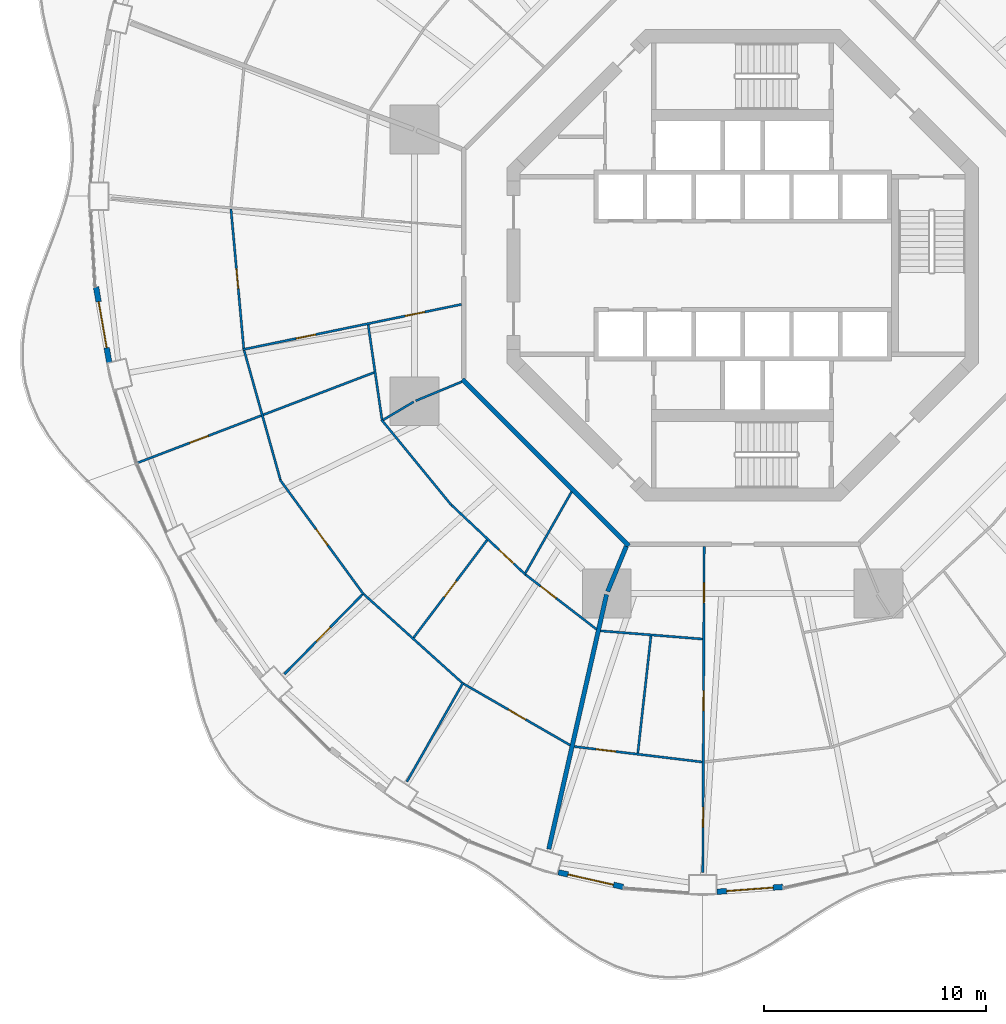
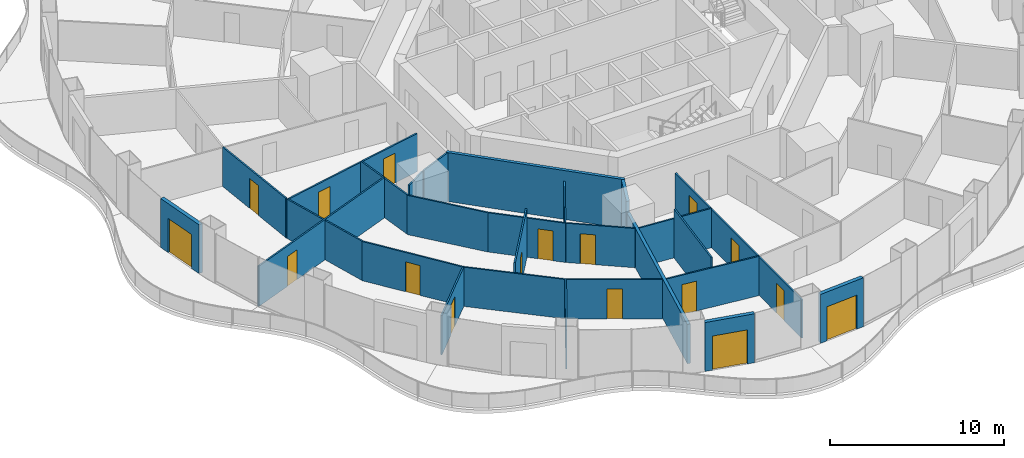
# One storey, part 14 of 22: 27 walls, 17 doors, 17 openings.
"""IFC4 building model written with IfcOpenShell, lengths in metres."""

from ifc_helpers import new_model, si_unit, direction, frame, frame_2d, origin, place, context, subcontext, project, spatial, rectangle, extrude, material, layer, layer_set, type_object, element, fill, save


model = new_model("IFC4")

# Units and contexts
model_context = context("Model", 3, precision=1e-05, world=origin(), true_north=direction((0.0, 1.0)))
body_context = subcontext(model_context, "Body", "Model", "MODEL_VIEW")
ifc_project = project(units=[si_unit("LENGTHUNIT", "METRE"), si_unit("AREAUNIT", "SQUARE_METRE"), si_unit("VOLUMEUNIT", "CUBIC_METRE"), si_unit("PLANEANGLEUNIT", "RADIAN"), si_unit("MASSUNIT", "GRAM", prefix="KILO")], contexts=[model_context])

# Site, building, storey
site_placement = place(None, origin())
site = spatial("IfcSite", under=ifc_project, at=site_placement, CompositionType="ELEMENT")
building_placement = place(site_placement, origin())
building = spatial("IfcBuilding", under=site, at=building_placement, Name="Nagisa Residences", CompositionType="ELEMENT")
storey_placement = place(building_placement, frame((0.0, 0.0, 77.0)))
storey = spatial("IfcBuildingStorey", under=building, at=storey_placement, Name="L18", CompositionType="ELEMENT", Elevation=77.0)

# Walls
ifc_material_1 = material(Name="Gypsum board on steel studs", Category="steel")
ifc_layer_1 = layer(ifc_material_1, 0.199951171875)
ifc_layer_set_1 = layer_set([ifc_layer_1], Name="Apartment compartment wall EI60 200")
wall_type_1 = type_object("IfcWallType", Name="Apartment compartment wall EI60 200", PredefinedType="PARTITIONING", material=ifc_layer_set_1)
wall_1_placement = place(storey_placement, frame((-5.24267578125, -12.6572265625, 0.0), z_axis=(0.0, 0.0, 1.0), x_axis=(-0.382668627144, -0.923885664896, 0.0)))
element("IfcWall", 1, at=wall_1_placement, inside=storey, type_object=wall_type_1, Name="wall:L18:u04", PredefinedType="PARTITIONING", context=body_context, shape_type="SweptSolid", body=[
    extrude(rectangle(XDim=2.200439453125, YDim=0.199951171875, at=frame_2d((1.10009765625, 0.0))), origin(), (0.0, 0.0, 1.0), 3.43994140625),
])
wall_2_placement = place(storey_placement, frame((-6.134033203125, -14.830810546875, 0.0), z_axis=(0.0, 0.0, 1.0), x_axis=(-0.221225405869, -0.975222702667, 0.0)))
element("IfcWall", 2, at=wall_2_placement, inside=storey, type_object=wall_type_1, Name="wall:L18:u05", PredefinedType="PARTITIONING", context=body_context, shape_type="SweptSolid", body=[
    extrude(rectangle(XDim=11.760986328125, YDim=0.199951171875, at=frame_2d((5.88037109375, 0.0))), origin(), (0.0, 0.0, 1.0), 2.761962890625),
])
ifc_material_2 = material(Name="Gypsum board on steel studs", Category="steel")
ifc_layer_2 = layer(ifc_material_2, 0.199951171875)
ifc_layer_set_2 = layer_set([ifc_layer_2], Name="Apartment entry wall EI60 200")
wall_type_2 = type_object("IfcWallType", Name="Apartment entry wall EI60 200", PredefinedType="PARTITIONING", material=ifc_layer_set_2)
wall_3_placement = place(storey_placement, frame((-12.635498046875, -5.1337890625, 0.0), z_axis=(0.0, 0.0, 1.0), x_axis=(0.707106781187, -0.707106781187, 0.0)))
element("IfcWall", 3, at=wall_3_placement, inside=storey, type_object=wall_type_2, Name="wall:L18:u13", PredefinedType="PARTITIONING", context=body_context, shape_type="SweptSolid", body=[
    extrude(rectangle(XDim=10.609130859375, YDim=0.199951171875, at=frame_2d((5.3046875, 0.0))), origin(), (0.0, 0.0, 1.0), 3.43994140625),
])

# Wall, opening, door
ifc_material_3 = material(Name="Gypsum board on steel studs", Category="steel")
ifc_layer_3 = layer(ifc_material_3, 0.10009765625)
ifc_layer_set_3 = layer_set([ifc_layer_3], Name="Apartment partition 100")
wall_type_3 = type_object("IfcWallType", Name="Apartment partition 100", PredefinedType="PARTITIONING", material=ifc_layer_set_3)
wall_4_placement = place(storey_placement, frame((-23.056884765625, 2.54248046875, 0.0), z_axis=(0.0, 0.0, 1.0), x_axis=(0.091380945427, -0.995816008514, 0.0)))
wall_4 = element("IfcWall", 4, at=wall_4_placement, inside=storey, type_object=wall_type_3, Name="wall:L18:u56", PredefinedType="PARTITIONING", context=body_context, shape_type="SweptSolid", body=[
    extrude(rectangle(XDim=6.302490234375, YDim=0.10009765625, at=frame_2d((3.1513671875, 0.0))), origin(), (0.0, 0.0, 1.0), 2.761962890625),
])
opening_1_placement = place(wall_4_placement, frame((2.701171875, 0.0, 0.0)))
opening_1 = element("IfcOpeningElement", 5, at=opening_1_placement, cuts=wall_4, Name="Opening L18-U28", PredefinedType="OPENING", context=body_context, shape_type="SweptSolid", body=[
    extrude(rectangle(XDim=0.89990234375, YDim=2.10009765625, at=frame_2d((0.449951171875, 1.050048828125))), frame((0.0, 0.06005859375, 0.0), z_axis=(0.0, -1.0, 0.0), x_axis=(1.0, 0.0, 0.0)), (0.0, 0.0, 1.0), 0.1201171875),
])
ifc_material_4 = material(Name="Timber door set", Category="wood")
door_type_1 = type_object("IfcDoorType", Name="Apartment door 900x2100", OperationType="NOTDEFINED", PredefinedType="DOOR", material=ifc_material_4)
door_1_placement = place(opening_1_placement, frame((0.89990234375, 0.0, 0.0), x_axis=(-1.0, 0.0, 0.0)))
door_1 = element("IfcDoor", 6, at=door_1_placement, inside=storey, type_object=door_type_1, Name="Door to family room, Apartment 18B", OperationType="SINGLE_SWING_LEFT", OverallHeight=2.10009765625, OverallWidth=0.89990234375, PredefinedType="DOOR", context=body_context, shape_type="SweptSolid", body=[
    extrude(rectangle(XDim=0.89990234375, YDim=2.10009765625, at=frame_2d((0.449951171875, 1.050048828125))), frame((0.0, 0.02490234375, 0.0), z_axis=(0.0, -1.0, 0.0), x_axis=(1.0, 0.0, 0.0)), (0.0, 0.0, 1.0), 0.050048828125),
])
fill(opening_1, door_1)

# Wall, openings, doors
wall_5_placement = place(storey_placement, frame((-12.66259765625, -1.755126953125, 0.0), z_axis=(0.0, 0.0, 1.0), x_axis=(-0.979304677471, -0.202391572657, 0.0)))
wall_5 = element("IfcWall", 7, at=wall_5_placement, inside=storey, type_object=wall_type_3, Name="wall:L18:u57", PredefinedType="PARTITIONING", context=body_context, shape_type="SweptSolid", body=[
    extrude(rectangle(XDim=10.0712890625, YDim=0.10009765625, at=frame_2d((5.03564453125, 0.0))), origin(), (0.0, 0.0, 1.0), 2.68701171875),
])
opening_2_placement = place(wall_5_placement, frame((1.703857421875, 0.0, 0.0)))
opening_2 = element("IfcOpeningElement", 8, at=opening_2_placement, cuts=wall_5, Name="Opening L18-U24", PredefinedType="OPENING", context=body_context, shape_type="SweptSolid", body=[
    extrude(rectangle(XDim=0.89990234375, YDim=2.10009765625, at=frame_2d((0.449951171875, 1.050048828125))), frame((0.0, 0.06005859375, 0.0), z_axis=(0.0, -1.0, 0.0), x_axis=(1.0, 0.0, 0.0)), (0.0, 0.0, 1.0), 0.1201171875),
])
opening_3_placement = place(wall_5_placement, frame((6.71435546875, 0.0, 0.0)))
opening_3 = element("IfcOpeningElement", 9, at=opening_3_placement, cuts=wall_5, Name="Opening L18-U26", PredefinedType="OPENING", context=body_context, shape_type="SweptSolid", body=[
    extrude(rectangle(XDim=0.89990234375, YDim=2.10009765625, at=frame_2d((0.449951171875, 1.050048828125))), frame((0.0, 0.06005859375, 0.0), z_axis=(0.0, -1.0, 0.0), x_axis=(1.0, 0.0, 0.0)), (0.0, 0.0, 1.0), 0.1201171875),
])
door_2_placement = place(opening_2_placement, origin())
door_2 = element("IfcDoor", 10, at=door_2_placement, inside=storey, type_object=door_type_1, Name="Door to family bathroom, Apartment 18B", OperationType="SINGLE_SWING_RIGHT", OverallHeight=2.10009765625, OverallWidth=0.89990234375, PredefinedType="DOOR", context=body_context, shape_type="SweptSolid", body=[
    extrude(rectangle(XDim=0.89990234375, YDim=2.10009765625, at=frame_2d((0.449951171875, 1.050048828125))), frame((0.0, 0.02490234375, 0.0), z_axis=(0.0, -1.0, 0.0), x_axis=(1.0, 0.0, 0.0)), (0.0, 0.0, 1.0), 0.050048828125),
])
fill(opening_2, door_2)
door_3_placement = place(opening_3_placement, origin())
door_3 = element("IfcDoor", 11, at=door_3_placement, inside=storey, type_object=door_type_1, Name="Door to family bathroom, Apartment 18B", OperationType="SINGLE_SWING_RIGHT", OverallHeight=2.10009765625, OverallWidth=0.89990234375, PredefinedType="DOOR", context=body_context, shape_type="SweptSolid", body=[
    extrude(rectangle(XDim=0.89990234375, YDim=2.10009765625, at=frame_2d((0.449951171875, 1.050048828125))), frame((0.0, 0.02490234375, 0.0), z_axis=(0.0, -1.0, 0.0), x_axis=(1.0, 0.0, 0.0)), (0.0, 0.0, 1.0), 0.050048828125),
])
fill(opening_3, door_3)

# Walls
wall_6_placement = place(storey_placement, frame((-16.8740234375, -2.676513671875, 0.0), z_axis=(0.0, 0.0, 1.0), x_axis=(0.144260658133, -0.989539722555, 0.0)))
element("IfcWall", 12, at=wall_6_placement, inside=storey, type_object=wall_type_3, Name="wall:L18:u58", PredefinedType="PARTITIONING", context=body_context, shape_type="SweptSolid", body=[
    extrude(rectangle(XDim=4.308837890625, YDim=0.10009765625, at=frame_2d((2.154296875, 0.0))), origin(), (0.0, 0.0, 1.0), 2.761962890625),
])
wall_7_placement = place(storey_placement, frame((-22.462890625, -3.83154296875, 0.0), z_axis=(0.0, 0.0, 1.0), x_axis=(0.269797759333, -0.962917010473, 0.0)))
element("IfcWall", 13, at=wall_7_placement, inside=storey, type_object=wall_type_3, Name="wall:L18:u59", PredefinedType="PARTITIONING", context=body_context, shape_type="SweptSolid", body=[
    extrude(rectangle(XDim=6.04296875, YDim=0.10009765625, at=frame_2d((3.021484375, 0.0))), origin(), (0.0, 0.0, 1.0), 2.761962890625),
])

# Wall, opening, door
wall_8_placement = place(storey_placement, frame((-16.60986328125, -4.826171875, 0.0), z_axis=(0.0, 0.0, 1.0), x_axis=(-0.934174502909, -0.356816476798, 0.0)))
wall_8 = element("IfcWall", 14, at=wall_8_placement, inside=storey, type_object=wall_type_3, Name="wall:L18:u60", PredefinedType="PARTITIONING", context=body_context, shape_type="SweptSolid", body=[
    extrude(rectangle(XDim=11.496337890625, YDim=0.10009765625, at=frame_2d((5.748046875, 0.0))), origin(), (0.0, 0.0, 1.0), 2.8369140625),
])
opening_4_placement = place(wall_8_placement, frame((7.992919921875, 0.0, 0.0)))
opening_4 = element("IfcOpeningElement", 15, at=opening_4_placement, cuts=wall_8, Name="Opening L18-U29", PredefinedType="OPENING", context=body_context, shape_type="SweptSolid", body=[
    extrude(rectangle(XDim=0.89990234375, YDim=2.10009765625, at=frame_2d((0.449951171875, 1.050048828125))), frame((0.0, 0.06005859375, 0.0), z_axis=(0.0, -1.0, 0.0), x_axis=(1.0, 0.0, 0.0)), (0.0, 0.0, 1.0), 0.1201171875),
])
door_4_placement = place(opening_4_placement, origin())
door_4 = element("IfcDoor", 16, at=door_4_placement, inside=storey, type_object=door_type_1, Name="Door to dining room, Apartment 18B", OperationType="SINGLE_SWING_LEFT", OverallHeight=2.10009765625, OverallWidth=0.89990234375, PredefinedType="DOOR", context=body_context, shape_type="SweptSolid", body=[
    extrude(rectangle(XDim=0.89990234375, YDim=2.10009765625, at=frame_2d((0.449951171875, 1.050048828125))), frame((0.0, 0.02490234375, 0.0), z_axis=(0.0, -1.0, 0.0), x_axis=(1.0, 0.0, 0.0)), (0.0, 0.0, 1.0), 0.050048828125),
])
fill(opening_4, door_4)

# Walls
wall_9_placement = place(storey_placement, frame((-12.6572265625, -5.24267578125, 0.0), z_axis=(0.0, 0.0, 1.0), x_axis=(-0.923864733477, -0.382719158442, 0.0)))
element("IfcWall", 17, at=wall_9_placement, inside=storey, type_object=wall_type_3, Name="wall:L18:u61", PredefinedType="PARTITIONING", context=body_context, shape_type="SweptSolid", body=[
    extrude(rectangle(XDim=2.25, YDim=0.10009765625, at=frame_2d((1.125, 0.0))), origin(), (0.0, 0.0, 1.0), 3.43994140625),
])
wall_10_placement = place(storey_placement, frame((-14.824951171875, -6.1484375, 0.0), z_axis=(0.0, 0.0, 1.0), x_axis=(-0.860452514841, -0.509530636669, 0.0)))
element("IfcWall", 18, at=wall_10_placement, inside=storey, type_object=wall_type_3, Name="wall:L18:u62", PredefinedType="PARTITIONING", context=body_context, shape_type="SweptSolid", body=[
    extrude(rectangle(XDim=1.600830078125, YDim=0.10009765625, at=frame_2d((0.80029296875, 0.0))), origin(), (0.0, 0.0, 1.0), 3.43994140625),
])
wall_11_placement = place(storey_placement, frame((-16.277099609375, -6.950927734375, 0.0), z_axis=(0.0, 0.0, 1.0), x_axis=(0.633427340372, -0.773802173988, 0.0)))
element("IfcWall", 19, at=wall_11_placement, inside=storey, type_object=wall_type_3, Name="wall:L18:u63", PredefinedType="PARTITIONING", context=body_context, shape_type="SweptSolid", body=[
    extrude(rectangle(XDim=4.979248046875, YDim=0.10009765625, at=frame_2d((2.48974609375, 0.0))), origin(), (0.0, 0.0, 1.0), 2.761962890625),
])

# Wall, opening, door
wall_12_placement = place(storey_placement, frame((-20.848388671875, -9.658203125, 0.0), z_axis=(0.0, 0.0, 1.0), x_axis=(0.5895799361, -0.807710033953, 0.0)))
wall_12 = element("IfcWall", 20, at=wall_12_placement, inside=storey, type_object=wall_type_3, Name="wall:L18:u64", PredefinedType="PARTITIONING", context=body_context, shape_type="SweptSolid", body=[
    extrude(rectangle(XDim=6.40771484375, YDim=0.10009765625, at=frame_2d((3.203857421875, 0.0))), origin(), (0.0, 0.0, 1.0), 2.761962890625),
])
opening_5_placement = place(wall_12_placement, frame((2.75390625, 0.0, 0.0)))
opening_5 = element("IfcOpeningElement", 21, at=opening_5_placement, cuts=wall_12, Name="Opening L18-U31", PredefinedType="OPENING", context=body_context, shape_type="SweptSolid", body=[
    extrude(rectangle(XDim=0.89990234375, YDim=2.10009765625, at=frame_2d((0.449951171875, 1.050048828125))), frame((0.0, 0.06005859375, 0.0), z_axis=(0.0, -1.0, 0.0), x_axis=(1.0, 0.0, 0.0)), (0.0, 0.0, 1.0), 0.1201171875),
])
door_5_placement = place(opening_5_placement, origin())
door_5 = element("IfcDoor", 22, at=door_5_placement, inside=storey, type_object=door_type_1, Name="Door to dining room, Apartment 18B", OperationType="SINGLE_SWING_LEFT", OverallHeight=2.10009765625, OverallWidth=0.89990234375, PredefinedType="DOOR", context=body_context, shape_type="SweptSolid", body=[
    extrude(rectangle(XDim=0.89990234375, YDim=2.10009765625, at=frame_2d((0.449951171875, 1.050048828125))), frame((0.0, 0.02490234375, 0.0), z_axis=(0.0, -1.0, 0.0), x_axis=(1.0, 0.0, 0.0)), (0.0, 0.0, 1.0), 0.050048828125),
])
fill(opening_5, door_5)

wall_13_placement = place(storey_placement, frame((-13.118408203125, -10.799560546875, 0.0), z_axis=(0.0, 0.0, 1.0), x_axis=(0.72818280142, -0.685382964273, 0.0)))
wall_13 = element("IfcWall", 23, at=wall_13_placement, inside=storey, type_object=wall_type_3, Name="wall:L18:u65", PredefinedType="PARTITIONING", context=body_context, shape_type="SweptSolid", body=[
    extrude(rectangle(XDim=4.586181640625, YDim=0.10009765625, at=frame_2d((2.29296875, 0.0))), origin(), (0.0, 0.0, 1.0), 2.761962890625),
])
opening_6_placement = place(wall_13_placement, frame((2.939697265625, 0.0, 0.0)))
opening_6 = element("IfcOpeningElement", 24, at=opening_6_placement, cuts=wall_13, Name="Opening L18-U34", PredefinedType="OPENING", context=body_context, shape_type="SweptSolid", body=[
    extrude(rectangle(XDim=0.89990234375, YDim=2.10009765625, at=frame_2d((0.449951171875, 1.050048828125))), frame((0.0, 0.06005859375, 0.0), z_axis=(0.0, -1.0, 0.0), x_axis=(1.0, 0.0, 0.0)), (0.0, 0.0, 1.0), 0.1201171875),
])
door_6_placement = place(opening_6_placement, origin())
door_6 = element("IfcDoor", 25, at=door_6_placement, inside=storey, type_object=door_type_1, Name="Door to store, Apartment 18B", OperationType="SINGLE_SWING_RIGHT", OverallHeight=2.10009765625, OverallWidth=0.89990234375, PredefinedType="DOOR", context=body_context, shape_type="SweptSolid", body=[
    extrude(rectangle(XDim=0.89990234375, YDim=2.10009765625, at=frame_2d((0.449951171875, 1.050048828125))), frame((0.0, 0.02490234375, 0.0), z_axis=(0.0, -1.0, 0.0), x_axis=(1.0, 0.0, 0.0)), (0.0, 0.0, 1.0), 0.050048828125),
])
fill(opening_6, door_6)

wall_14_placement = place(storey_placement, frame((-17.135009765625, -14.8291015625, 0.0), z_axis=(0.0, 0.0, 1.0), x_axis=(-0.699702869429, -0.714433967917, 0.0)))
wall_14 = element("IfcWall", 26, at=wall_14_placement, inside=storey, type_object=wall_type_3, Name="wall:L18:u66", PredefinedType="PARTITIONING", context=body_context, shape_type="SweptSolid", body=[
    extrude(rectangle(XDim=5.021728515625, YDim=0.10009765625, at=frame_2d((2.5107421875, 0.0))), origin(), (0.0, 0.0, 1.0), 2.761962890625),
])
opening_7_placement = place(wall_14_placement, frame((2.060791015625, 0.0, 0.0)))
opening_7 = element("IfcOpeningElement", 27, at=opening_7_placement, cuts=wall_14, Name="Opening L18-U30", PredefinedType="OPENING", context=body_context, shape_type="SweptSolid", body=[
    extrude(rectangle(XDim=0.89990234375, YDim=2.10009765625, at=frame_2d((0.449951171875, 1.050048828125))), frame((0.0, 0.06005859375, 0.0), z_axis=(0.0, -1.0, 0.0), x_axis=(1.0, 0.0, 0.0)), (0.0, 0.0, 1.0), 0.1201171875),
])
door_7_placement = place(opening_7_placement, origin())
door_7 = element("IfcDoor", 28, at=door_7_placement, inside=storey, type_object=door_type_1, Name="Door to master bedroom, Apartment 18B", OperationType="SINGLE_SWING_RIGHT", OverallHeight=2.10009765625, OverallWidth=0.89990234375, PredefinedType="DOOR", context=body_context, shape_type="SweptSolid", body=[
    extrude(rectangle(XDim=0.89990234375, YDim=2.10009765625, at=frame_2d((0.449951171875, 1.050048828125))), frame((0.0, 0.02490234375, 0.0), z_axis=(0.0, -1.0, 0.0), x_axis=(1.0, 0.0, 0.0)), (0.0, 0.0, 1.0), 0.050048828125),
])
fill(opening_7, door_7)

# Wall
wall_15_placement = place(storey_placement, frame((-17.062744140625, -14.826904296875, 0.0), z_axis=(0.0, 0.0, 1.0), x_axis=(0.743478142868, -0.668760234373, 0.0)))
element("IfcWall", 29, at=wall_15_placement, inside=storey, type_object=wall_type_3, Name="wall:L18:u67", PredefinedType="PARTITIONING", context=body_context, shape_type="SweptSolid", body=[
    extrude(rectangle(XDim=5.93701171875, YDim=0.10009765625, at=frame_2d((2.968505859375, 0.0))), origin(), (0.0, 0.0, 1.0), 2.761962890625),
])

# Wall, opening, door
wall_16_placement = place(storey_placement, frame((-11.51513671875, -12.376953125, 0.0), z_axis=(0.0, 0.0, 1.0), x_axis=(-0.60163860397, -0.798768420891, 0.0)))
wall_16 = element("IfcWall", 30, at=wall_16_placement, inside=storey, type_object=wall_type_3, Name="wall:L18:u68", PredefinedType="PARTITIONING", context=body_context, shape_type="SweptSolid", body=[
    extrude(rectangle(XDim=5.50244140625, YDim=0.10009765625, at=frame_2d((2.751220703125, 0.0))), origin(), (0.0, 0.0, 1.0), 3.43994140625),
])
opening_8_placement = place(wall_16_placement, frame((2.30126953125, 0.0, 0.0)))
opening_8 = element("IfcOpeningElement", 31, at=opening_8_placement, cuts=wall_16, Name="Opening L18-U32", PredefinedType="OPENING", context=body_context, shape_type="SweptSolid", body=[
    extrude(rectangle(XDim=0.89990234375, YDim=2.10009765625, at=frame_2d((0.449951171875, 1.050048828125))), frame((0.0, 0.06005859375, 0.0), z_axis=(0.0, -1.0, 0.0), x_axis=(1.0, 0.0, 0.0)), (0.0, 0.0, 1.0), 0.1201171875),
])
door_8_placement = place(opening_8_placement, origin())
door_8 = element("IfcDoor", 32, at=door_8_placement, inside=storey, type_object=door_type_1, Name="Door to kitchen, Apartment 18B", OperationType="SINGLE_SWING_RIGHT", OverallHeight=2.10009765625, OverallWidth=0.89990234375, PredefinedType="DOOR", context=body_context, shape_type="SweptSolid", body=[
    extrude(rectangle(XDim=0.89990234375, YDim=2.10009765625, at=frame_2d((0.449951171875, 1.050048828125))), frame((0.0, 0.02490234375, 0.0), z_axis=(0.0, -1.0, 0.0), x_axis=(1.0, 0.0, 0.0)), (0.0, 0.0, 1.0), 0.050048828125),
])
fill(opening_8, door_8)

# Wall
wall_17_placement = place(storey_placement, frame((-7.707275390625, -10.1982421875, 0.0), z_axis=(0.0, 0.0, 1.0), x_axis=(-0.493986531217, -0.869469554945, 0.0)))
element("IfcWall", 33, at=wall_17_placement, inside=storey, type_object=wall_type_3, Name="wall:L18:u69", PredefinedType="PARTITIONING", context=body_context, shape_type="SweptSolid", body=[
    extrude(rectangle(XDim=4.21728515625, YDim=0.10009765625, at=frame_2d((2.108642578125, 0.0))), origin(), (0.0, 0.0, 1.0), 2.68701171875),
])

# Wall, opening, door
wall_18_placement = place(storey_placement, frame((-9.775390625, -13.93896484375, 0.0), z_axis=(0.0, 0.0, 1.0), x_axis=(0.792162117554, -0.610310723741, 0.0)))
wall_18 = element("IfcWall", 34, at=wall_18_placement, inside=storey, type_object=wall_type_3, Name="wall:L18:u70", PredefinedType="PARTITIONING", context=body_context, shape_type="SweptSolid", body=[
    extrude(rectangle(XDim=4.0302734375, YDim=0.10009765625, at=frame_2d((2.01513671875, 0.0))), origin(), (0.0, 0.0, 1.0), 2.761962890625),
])
opening_9_placement = place(wall_18_placement, frame((0.836181640625, 0.0, 0.0)))
opening_9 = element("IfcOpeningElement", 35, at=opening_9_placement, cuts=wall_18, Name="Opening L18-U35", PredefinedType="OPENING", context=body_context, shape_type="SweptSolid", body=[
    extrude(rectangle(XDim=0.89990234375, YDim=2.10009765625, at=frame_2d((0.449951171875, 1.050048828125))), frame((0.0, 0.06005859375, 0.0), z_axis=(0.0, -1.0, 0.0), x_axis=(1.0, 0.0, 0.0)), (0.0, 0.0, 1.0), 0.1201171875),
])
door_9_placement = place(opening_9_placement, origin())
door_9 = element("IfcDoor", 36, at=door_9_placement, inside=storey, type_object=door_type_1, Name="Door to laundry, Apartment 18B", OperationType="SINGLE_SWING_LEFT", OverallHeight=2.10009765625, OverallWidth=0.89990234375, PredefinedType="DOOR", context=body_context, shape_type="SweptSolid", body=[
    extrude(rectangle(XDim=0.89990234375, YDim=2.10009765625, at=frame_2d((0.449951171875, 1.050048828125))), frame((0.0, 0.02490234375, 0.0), z_axis=(0.0, -1.0, 0.0), x_axis=(1.0, 0.0, 0.0)), (0.0, 0.0, 1.0), 0.050048828125),
])
fill(opening_9, door_9)

# Wall
wall_19_placement = place(storey_placement, frame((-12.586669921875, -18.787353515625, 0.0), z_axis=(0.0, 0.0, 1.0), x_axis=(-0.493966211317, -0.869481099321, 0.0)))
element("IfcWall", 37, at=wall_19_placement, inside=storey, type_object=wall_type_3, Name="wall:L18:u71", PredefinedType="PARTITIONING", context=body_context, shape_type="SweptSolid", body=[
    extrude(rectangle(XDim=5.146484375, YDim=0.10009765625, at=frame_2d((2.5732421875, 0.0))), origin(), (0.0, 0.0, 1.0), 2.761962890625),
])

# Wall, opening, door
wall_20_placement = place(storey_placement, frame((-12.568115234375, -18.855712890625, 0.0), z_axis=(0.0, 0.0, 1.0), x_axis=(0.866533437451, -0.499119025664, 0.0)))
wall_20 = element("IfcWall", 38, at=wall_20_placement, inside=storey, type_object=wall_type_3, Name="wall:L18:u72", PredefinedType="PARTITIONING", context=body_context, shape_type="SweptSolid", body=[
    extrude(rectangle(XDim=5.53515625, YDim=0.10009765625, at=frame_2d((2.767578125, 0.0))), origin(), (0.0, 0.0, 1.0), 2.761962890625),
])
opening_10_placement = place(wall_20_placement, frame((2.3173828125, 0.0, 0.0)))
opening_10 = element("IfcOpeningElement", 39, at=opening_10_placement, cuts=wall_20, Name="Opening L18-U33", PredefinedType="OPENING", context=body_context, shape_type="SweptSolid", body=[
    extrude(rectangle(XDim=0.89990234375, YDim=2.10009765625, at=frame_2d((0.449951171875, 1.050048828125))), frame((0.0, 0.06005859375, 0.0), z_axis=(0.0, -1.0, 0.0), x_axis=(1.0, 0.0, 0.0)), (0.0, 0.0, 1.0), 0.1201171875),
])
door_10_placement = place(opening_10_placement, frame((0.89990234375, 0.0, 0.0), x_axis=(-1.0, 0.0, 0.0)))
door_10 = element("IfcDoor", 40, at=door_10_placement, inside=storey, type_object=door_type_1, Name="Door to bedroom, Apartment 18B", OperationType="SINGLE_SWING_RIGHT", OverallHeight=2.10009765625, OverallWidth=0.89990234375, PredefinedType="DOOR", context=body_context, shape_type="SweptSolid", body=[
    extrude(rectangle(XDim=0.89990234375, YDim=2.10009765625, at=frame_2d((0.449951171875, 1.050048828125))), frame((0.0, 0.02490234375, 0.0), z_axis=(0.0, -1.0, 0.0), x_axis=(1.0, 0.0, 0.0)), (0.0, 0.0, 1.0), 0.050048828125),
])
fill(opening_10, door_10)

# Wall
wall_21_placement = place(storey_placement, frame((-6.40380859375, -16.467529296875, 0.0), z_axis=(0.0, 0.0, 1.0), x_axis=(0.996818808981, -0.079701079432, 0.0)))
element("IfcWall", 41, at=wall_21_placement, inside=storey, type_object=wall_type_3, Name="wall:L18:u73", PredefinedType="PARTITIONING", context=body_context, shape_type="SweptSolid", body=[
    extrude(rectangle(XDim=4.6162109375, YDim=0.10009765625, at=frame_2d((2.30810546875, 0.0))), origin(), (0.0, 0.0, 1.0), 2.761962890625),
])

# Wall, opening, door
wall_22_placement = place(storey_placement, frame((-7.5859375, -21.680419921875, 0.0), z_axis=(0.0, 0.0, 1.0), x_axis=(0.992810189026, -0.119699325668, 0.0)))
wall_22 = element("IfcWall", 42, at=wall_22_placement, inside=storey, type_object=wall_type_3, Name="wall:L18:u74", PredefinedType="PARTITIONING", context=body_context, shape_type="SweptSolid", body=[
    extrude(rectangle(XDim=5.802734375, YDim=0.10009765625, at=frame_2d((2.9013671875, 0.0))), origin(), (0.0, 0.0, 1.0), 2.761962890625),
])
opening_11_placement = place(wall_22_placement, frame((0.98828125, 0.0, 0.0)))
opening_11 = element("IfcOpeningElement", 43, at=opening_11_placement, cuts=wall_22, Name="Opening L18-U47", PredefinedType="OPENING", context=body_context, shape_type="SweptSolid", body=[
    extrude(rectangle(XDim=0.89990234375, YDim=2.10009765625, at=frame_2d((0.449951171875, 1.050048828125))), frame((0.0, 0.06005859375, 0.0), z_axis=(0.0, -1.0, 0.0), x_axis=(1.0, 0.0, 0.0)), (0.0, 0.0, 1.0), 0.1201171875),
])
door_11_placement = place(opening_11_placement, origin())
door_11 = element("IfcDoor", 44, at=door_11_placement, inside=storey, type_object=door_type_1, Name="Door to en-suite bathroom, Apartment 18C", OperationType="SINGLE_SWING_LEFT", OverallHeight=2.10009765625, OverallWidth=0.89990234375, PredefinedType="DOOR", context=body_context, shape_type="SweptSolid", body=[
    extrude(rectangle(XDim=0.89990234375, YDim=2.10009765625, at=frame_2d((0.449951171875, 1.050048828125))), frame((0.0, 0.02490234375, 0.0), z_axis=(0.0, -1.0, 0.0), x_axis=(1.0, 0.0, 0.0)), (0.0, 0.0, 1.0), 0.050048828125),
])
fill(opening_11, door_11)

# Wall
wall_23_placement = place(storey_placement, frame((-4.133544921875, -16.69921875, 0.0), z_axis=(0.0, 0.0, 1.0), x_axis=(-0.111340048649, -0.993782367305, 0.0)))
element("IfcWall", 45, at=wall_23_placement, inside=storey, type_object=wall_type_3, Name="wall:L18:u75", PredefinedType="PARTITIONING", context=body_context, shape_type="SweptSolid", body=[
    extrude(rectangle(XDim=5.30859375, YDim=0.10009765625, at=frame_2d((2.654296875, 0.0))), origin(), (0.0, 0.0, 1.0), 3.43994140625),
])

# Wall, openings, doors
wall_24_placement = place(storey_placement, frame((-1.7353515625, -12.664794921875, 0.0), z_axis=(0.0, 0.0, 1.0), x_axis=(-0.004107048833, -0.999991566039, 0.0)))
wall_24 = element("IfcWall", 46, at=wall_24_placement, inside=storey, type_object=wall_type_3, Name="wall:L18:u76", PredefinedType="PARTITIONING", context=body_context, shape_type="SweptSolid", body=[
    extrude(rectangle(XDim=14.682861328125, YDim=0.10009765625, at=frame_2d((7.34130859375, 0.0))), origin(), (0.0, 0.0, 1.0), 2.68701171875),
])
opening_12_placement = place(wall_24_placement, frame((1.637451171875, 0.0, 0.0)))
opening_12 = element("IfcOpeningElement", 47, at=opening_12_placement, cuts=wall_24, Name="Opening L18-U37", PredefinedType="OPENING", context=body_context, shape_type="SweptSolid", body=[
    extrude(rectangle(XDim=0.89990234375, YDim=2.10009765625, at=frame_2d((0.449951171875, 1.050048828125))), frame((0.0, 0.06005859375, 0.0), z_axis=(0.0, -1.0, 0.0), x_axis=(1.0, 0.0, 0.0)), (0.0, 0.0, 1.0), 0.1201171875),
])
opening_13_placement = place(wall_24_placement, frame((6.49560546875, 0.0, 0.0)))
opening_13 = element("IfcOpeningElement", 48, at=opening_13_placement, cuts=wall_24, Name="Opening L18-U39", PredefinedType="OPENING", context=body_context, shape_type="SweptSolid", body=[
    extrude(rectangle(XDim=0.89990234375, YDim=2.10009765625, at=frame_2d((0.449951171875, 1.050048828125))), frame((0.0, 0.06005859375, 0.0), z_axis=(0.0, -1.0, 0.0), x_axis=(1.0, 0.0, 0.0)), (0.0, 0.0, 1.0), 0.1201171875),
])
opening_14_placement = place(wall_24_placement, frame((11.74951171875, 0.0, 0.0)))
opening_14 = element("IfcOpeningElement", 49, at=opening_14_placement, cuts=wall_24, Name="Opening L18-U46", PredefinedType="OPENING", context=body_context, shape_type="SweptSolid", body=[
    extrude(rectangle(XDim=0.89990234375, YDim=2.10009765625, at=frame_2d((0.449951171875, 1.050048828125))), frame((0.0, 0.06005859375, 0.0), z_axis=(0.0, -1.0, 0.0), x_axis=(1.0, 0.0, 0.0)), (0.0, 0.0, 1.0), 0.1201171875),
])
door_12_placement = place(opening_12_placement, frame((0.89990234375, 0.0, 0.0), x_axis=(-1.0, 0.0, 0.0)))
door_12 = element("IfcDoor", 50, at=door_12_placement, inside=storey, type_object=door_type_1, Name="Door to laundry, Apartment 18C", OperationType="SINGLE_SWING_RIGHT", OverallHeight=2.10009765625, OverallWidth=0.89990234375, PredefinedType="DOOR", context=body_context, shape_type="SweptSolid", body=[
    extrude(rectangle(XDim=0.89990234375, YDim=2.10009765625, at=frame_2d((0.449951171875, 1.050048828125))), frame((0.0, 0.02490234375, 0.0), z_axis=(0.0, -1.0, 0.0), x_axis=(1.0, 0.0, 0.0)), (0.0, 0.0, 1.0), 0.050048828125),
])
fill(opening_12, door_12)
door_13_placement = place(opening_13_placement, frame((0.89990234375, 0.0, 0.0), x_axis=(-1.0, 0.0, 0.0)))
door_13 = element("IfcDoor", 51, at=door_13_placement, inside=storey, type_object=door_type_1, Name="Door to family bathroom, Apartment 18C", OperationType="SINGLE_SWING_RIGHT", OverallHeight=2.10009765625, OverallWidth=0.89990234375, PredefinedType="DOOR", context=body_context, shape_type="SweptSolid", body=[
    extrude(rectangle(XDim=0.89990234375, YDim=2.10009765625, at=frame_2d((0.449951171875, 1.050048828125))), frame((0.0, 0.02490234375, 0.0), z_axis=(0.0, -1.0, 0.0), x_axis=(1.0, 0.0, 0.0)), (0.0, 0.0, 1.0), 0.050048828125),
])
fill(opening_13, door_13)
door_14_placement = place(opening_14_placement, frame((0.89990234375, 0.0, 0.0), x_axis=(-1.0, 0.0, 0.0)))
door_14 = element("IfcDoor", 52, at=door_14_placement, inside=storey, type_object=door_type_1, Name="Door to master bedroom, Apartment 18C", OperationType="SINGLE_SWING_LEFT", OverallHeight=2.10009765625, OverallWidth=0.89990234375, PredefinedType="DOOR", context=body_context, shape_type="SweptSolid", body=[
    extrude(rectangle(XDim=0.89990234375, YDim=2.10009765625, at=frame_2d((0.449951171875, 1.050048828125))), frame((0.0, 0.02490234375, 0.0), z_axis=(0.0, -1.0, 0.0), x_axis=(1.0, 0.0, 0.0)), (0.0, 0.0, 1.0), 0.050048828125),
])
fill(opening_14, door_14)

# Wall, opening, door
ifc_material_5 = material(Name="Precast concrete C40/50", Category="concrete")
ifc_layer_4 = layer(ifc_material_5, 0.25)
ifc_layer_set_4 = layer_set([ifc_layer_4], Name="BALCONY DOOR WALL 250")
wall_type_4 = type_object("IfcWallType", Name="BALCONY DOOR WALL 250", PredefinedType="SOLIDWALL", material=ifc_layer_set_4)
wall_25_placement = place(storey_placement, frame((-28.5400390625, -4.377197265625, 0.0), z_axis=(0.0, 0.0, 1.0), x_axis=(-0.17223289558, 0.985056257114, 0.0)))
wall_25 = element("IfcWall", 53, at=wall_25_placement, inside=storey, type_object=wall_type_4, Name="wall:L18:bay25", PredefinedType="SOLIDWALL", context=body_context, shape_type="SweptSolid", body=[
    extrude(rectangle(XDim=3.454345703125, YDim=0.25, at=frame_2d((1.72705078125, 0.0))), origin(), (0.0, 0.0, 1.0), 3.43994140625),
])
opening_15_placement = place(wall_25_placement, frame((0.67724609375, 0.0, 0.0)))
opening_15 = element("IfcOpeningElement", 54, at=opening_15_placement, cuts=wall_25, Name="Opening BD-L18-09", PredefinedType="OPENING", context=body_context, shape_type="SweptSolid", body=[
    extrude(rectangle(XDim=2.10009765625, YDim=2.39990234375, at=frame_2d((1.050048828125, 1.199951171875))), frame((0.0, 0.135009765625, 0.0), z_axis=(0.0, -1.0, 0.0), x_axis=(1.0, 0.0, 0.0)), (0.0, 0.0, 1.0), 0.27001953125),
])
ifc_material_6 = material(Name="Aluminium and clear glass", Category="aluminium")
door_type_2 = type_object("IfcDoorType", Name="BALCONY SLIDING DOOR 2100x2400", OperationType="SLIDING_TO_LEFT", PredefinedType="DOOR", material=ifc_material_6)
door_15_placement = place(opening_15_placement, origin())
door_15 = element("IfcDoor", 55, at=door_15_placement, inside=storey, type_object=door_type_2, Name="door:L18:bay25", OperationType="SLIDING_TO_LEFT", OverallHeight=2.39990234375, OverallWidth=2.10009765625, PredefinedType="DOOR", context=body_context, shape_type="SweptSolid", body=[
    extrude(rectangle(XDim=2.10009765625, YDim=2.39990234375, at=frame_2d((1.050048828125, 1.199951171875))), frame((0.0, 0.02490234375, 0.0), z_axis=(0.0, -1.0, 0.0), x_axis=(1.0, 0.0, 0.0)), (0.0, 0.0, 1.0), 0.050048828125),
])
fill(opening_15, door_15)

wall_26_placement = place(storey_placement, frame((-5.38720703125, -28.005859375, 0.0), z_axis=(0.0, 0.0, 1.0), x_axis=(-0.975317607872, 0.220806620767, 0.0)))
wall_26 = element("IfcWall", 56, at=wall_26_placement, inside=storey, type_object=wall_type_4, Name="wall:L18:bay34", PredefinedType="SOLIDWALL", context=body_context, shape_type="SweptSolid", body=[
    extrude(rectangle(XDim=2.9931640625, YDim=0.25, at=frame_2d((1.49658203125, 0.0))), origin(), (0.0, 0.0, 1.0), 3.43994140625),
])
opening_16_placement = place(wall_26_placement, frame((0.446533203125, 0.0, 0.0)))
opening_16 = element("IfcOpeningElement", 57, at=opening_16_placement, cuts=wall_26, Name="Opening BD-L18-12", PredefinedType="OPENING", context=body_context, shape_type="SweptSolid", body=[
    extrude(rectangle(XDim=2.10009765625, YDim=2.39990234375, at=frame_2d((1.050048828125, 1.199951171875))), frame((0.0, 0.135009765625, 0.0), z_axis=(0.0, -1.0, 0.0), x_axis=(1.0, 0.0, 0.0)), (0.0, 0.0, 1.0), 0.27001953125),
])
door_16_placement = place(opening_16_placement, origin())
door_16 = element("IfcDoor", 58, at=door_16_placement, inside=storey, type_object=door_type_2, Name="door:L18:bay34", OperationType="SLIDING_TO_LEFT", OverallHeight=2.39990234375, OverallWidth=2.10009765625, PredefinedType="DOOR", context=body_context, shape_type="SweptSolid", body=[
    extrude(rectangle(XDim=2.10009765625, YDim=2.39990234375, at=frame_2d((1.050048828125, 1.199951171875))), frame((0.0, 0.02490234375, 0.0), z_axis=(0.0, -1.0, 0.0), x_axis=(1.0, 0.0, 0.0)), (0.0, 0.0, 1.0), 0.050048828125),
])
fill(opening_16, door_16)

wall_27_placement = place(storey_placement, frame((1.8056640625, -28.0029296875, 0.0), z_axis=(0.0, 0.0, 1.0), x_axis=(-0.997226174467, -0.074430887117, 0.0)))
wall_27 = element("IfcWall", 59, at=wall_27_placement, inside=storey, type_object=wall_type_4, Name="wall:L18:bay36", PredefinedType="SOLIDWALL", context=body_context, shape_type="SweptSolid", body=[
    extrude(rectangle(XDim=2.97509765625, YDim=0.25, at=frame_2d((1.487548828125, 0.0))), origin(), (0.0, 0.0, 1.0), 3.43994140625),
])
opening_17_placement = place(wall_27_placement, frame((0.4375, 0.0, 0.0)))
opening_17 = element("IfcOpeningElement", 60, at=opening_17_placement, cuts=wall_27, Name="Opening BD-L18-13", PredefinedType="OPENING", context=body_context, shape_type="SweptSolid", body=[
    extrude(rectangle(XDim=2.10009765625, YDim=2.39990234375, at=frame_2d((1.050048828125, 1.199951171875))), frame((0.0, 0.135009765625, 0.0), z_axis=(0.0, -1.0, 0.0), x_axis=(1.0, 0.0, 0.0)), (0.0, 0.0, 1.0), 0.27001953125),
])
door_17_placement = place(opening_17_placement, origin())
door_17 = element("IfcDoor", 61, at=door_17_placement, inside=storey, type_object=door_type_2, Name="door:L18:bay36", OperationType="SLIDING_TO_LEFT", OverallHeight=2.39990234375, OverallWidth=2.10009765625, PredefinedType="DOOR", context=body_context, shape_type="SweptSolid", body=[
    extrude(rectangle(XDim=2.10009765625, YDim=2.39990234375, at=frame_2d((1.050048828125, 1.199951171875))), frame((0.0, 0.02490234375, 0.0), z_axis=(0.0, -1.0, 0.0), x_axis=(1.0, 0.0, 0.0)), (0.0, 0.0, 1.0), 0.050048828125),
])
fill(opening_17, door_17)

save(model, "model.ifc")
